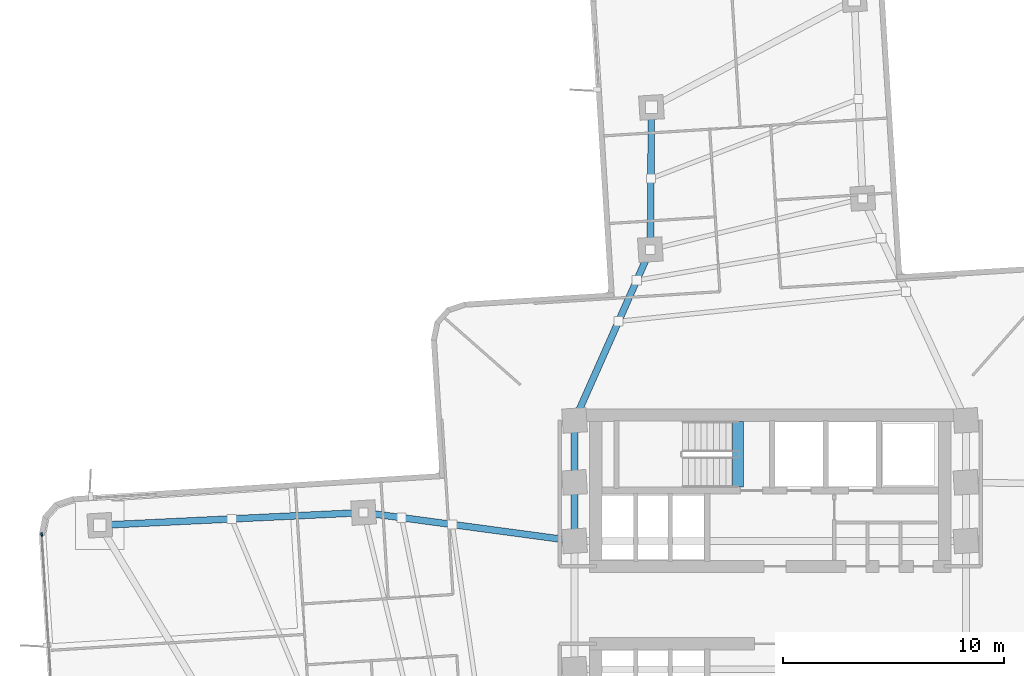
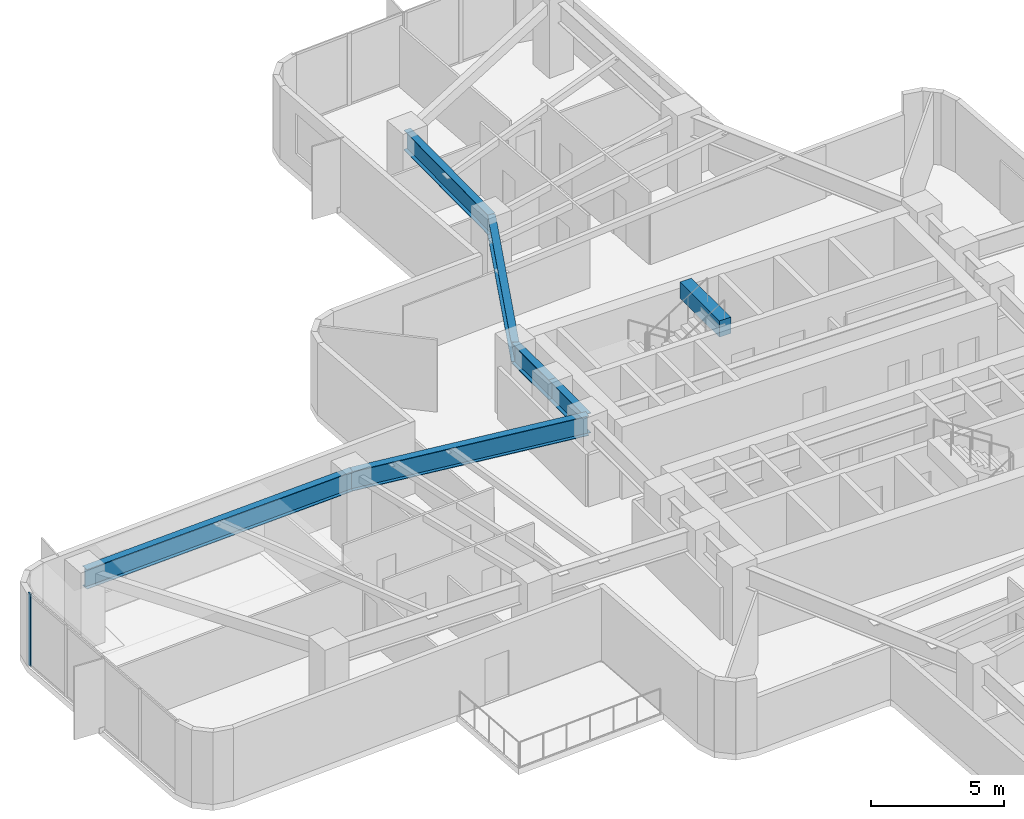
# One storey, part 4 of 16: 7 beams, 1 member, 1 element without a shape of its own.
"""IFC4 building model written with IfcOpenShell, lengths in metres."""

from ifc_helpers import new_model, si_unit, direction, frame, origin, origin_2d, place, context, subcontext, project, spatial, rectangle, i_section, extrude, material, layer, layer_set, material_profile, profile_set, type_object, element, aggregate, save


model = new_model("IFC4")

# Units and contexts
model_context = context("Model", 3, precision=1e-05, world=origin(), true_north=direction((0.0, 1.0)))
body_context = subcontext(model_context, "Body", "Model", "MODEL_VIEW")
ifc_project = project(units=[si_unit("LENGTHUNIT", "METRE"), si_unit("AREAUNIT", "SQUARE_METRE"), si_unit("VOLUMEUNIT", "CUBIC_METRE"), si_unit("PLANEANGLEUNIT", "RADIAN"), si_unit("MASSUNIT", "GRAM", prefix="KILO")], contexts=[model_context])

# Site, building, storey
site_placement = place(None, origin())
site = spatial("IfcSite", under=ifc_project, at=site_placement, CompositionType="ELEMENT")
building_placement = place(site_placement, origin())
building = spatial("IfcBuilding", under=site, at=building_placement, Name="Solmarez Civic Tower", CompositionType="ELEMENT")
storey_placement = place(building_placement, frame((0.0, 0.0, 53.280029296875)))
storey = spatial("IfcBuildingStorey", under=building, at=storey_placement, Name="L13", CompositionType="ELEMENT", Elevation=53.280029296875)

# Beams
ifc_material_1 = material(Name="Concrete C50/60", Category="concrete")
ifc_material_profile_1 = material_profile(ifc_material_1, rectangle(XDim=0.5, YDim=0.75, at=origin_2d()), Name="RC500X750")
ifc_profile_set_1 = profile_set([ifc_material_profile_1], Name="Concrete C50/60")
beam_type_1 = type_object("IfcBeamType", Name="BM-PR-RC500X750", PredefinedType="BEAM", material=ifc_profile_set_1)
beam_1_placement = place(storey_placement, frame((-1.449951171875, 5.340087890625, 3.23291015625), z_axis=(0.0, 1.0, 0.0), x_axis=(-1.0, 0.0, 0.0)))
element("IfcBeam", 1, at=beam_1_placement, inside=storey, type_object=beam_type_1, Name="L13 North Stair Threshold Beam", PredefinedType="BEAM", context=body_context, shape_type="SweptSolid", body=[
    extrude(rectangle(XDim=0.5, YDim=0.75, at=origin_2d()), origin(), (0.0, 0.0, 1.0), 2.9599609375),
])
ifc_material_2 = material(Name="Steel S355", Category="steel")
ifc_material_profile_2 = material_profile(ifc_material_2, i_section(OverallWidth=0.303955078125, OverallDepth=0.910888671875, WebThickness=0.015869140625, FlangeThickness=0.02392578125, at=origin_2d()), Name="W36X150")
ifc_profile_set_2 = profile_set([ifc_material_profile_2], Name="Steel S355")
beam_type_2 = type_object("IfcBeamType", Name="BM-PR-W36X150", PredefinedType="BEAM", material=ifc_profile_set_2)
beam_2_placement = place(storey_placement, frame((-8.85009765625, 8.35009765625, 2.864990234375), z_axis=(0.405693556952, 0.914009156326, 0.0), x_axis=(-0.914009156326, 0.405693556952, 0.0)))
element("IfcBeam", 2, at=beam_2_placement, inside=storey, type_object=beam_type_2, Name="L13 Primary Floor Beam BM-L13-NA-R1B", PredefinedType="BEAM", context=body_context, shape_type="SweptSolid", body=[
    extrude(i_section(OverallWidth=0.303955078125, OverallDepth=0.910888671875, WebThickness=0.015869140625, FlangeThickness=0.02392578125, at=origin_2d()), origin(), (0.0, 0.0, 1.0), 8.45263671875),
])
beam_3_placement = place(storey_placement, frame((-5.4208984375, 16.075927734375, 2.864990234375), z_axis=(0.007592219108, 0.999971178689, 0.0), x_axis=(-0.999971178689, 0.007592219108, 0.0)))
element("IfcBeam", 3, at=beam_3_placement, inside=storey, type_object=beam_type_2, Name="L13 Primary Floor Beam BM-L13-NA-R2B", PredefinedType="BEAM", context=body_context, shape_type="SweptSolid", body=[
    extrude(i_section(OverallWidth=0.303955078125, OverallDepth=0.910888671875, WebThickness=0.015869140625, FlangeThickness=0.02392578125, at=origin_2d()), origin(), (0.0, 0.0, 1.0), 6.431396484375),
])
beam_4_placement = place(storey_placement, frame((-8.85009765625, 2.89990234375, 2.864990234375), z_axis=(-0.991063240718, 0.133392851745, 0.0), x_axis=(-0.133392851745, -0.991063240718, 0.0)))
element("IfcBeam", 4, at=beam_4_placement, inside=storey, type_object=beam_type_2, Name="L13 Primary Floor Beam BM-L13-WA-R1A", PredefinedType="BEAM", context=body_context, shape_type="SweptSolid", body=[
    extrude(i_section(OverallWidth=0.303955078125, OverallDepth=0.910888671875, WebThickness=0.015869140625, FlangeThickness=0.02392578125, at=origin_2d()), origin(), (0.0, 0.0, 1.0), 9.626953125),
])
beam_5_placement = place(storey_placement, frame((-18.39111328125, 4.18408203125, 2.864990234375), z_axis=(-0.998839135977, -0.048170327398, 0.0), x_axis=(0.048170327398, -0.998839135977, 0.0)))
element("IfcBeam", 5, at=beam_5_placement, inside=storey, type_object=beam_type_2, Name="L13 Primary Floor Beam BM-L13-WA-R2A", PredefinedType="BEAM", context=body_context, shape_type="SweptSolid", body=[
    extrude(i_section(OverallWidth=0.303955078125, OverallDepth=0.910888671875, WebThickness=0.015869140625, FlangeThickness=0.02392578125, at=origin_2d()), origin(), (0.0, 0.0, 1.0), 11.94091796875),
])
ifc_material_profile_3 = material_profile(ifc_material_2, i_section(OverallWidth=0.306884765625, OverallDepth=0.927001953125, WebThickness=0.019287109375, FlangeThickness=0.031982421875, at=origin_2d()), Name="W36X194")
ifc_profile_set_3 = profile_set([ifc_material_profile_3], Name="Steel S355")
beam_type_3 = type_object("IfcBeamType", Name="BM-PR-W36X194", PredefinedType="BEAM", material=ifc_profile_set_3)
beam_6_placement = place(storey_placement, frame((-8.85009765625, 2.89990234375, 2.85595703125), z_axis=(0.0, 1.0, 0.0), x_axis=(-1.0, 0.0, 0.0)))
element("IfcBeam", 6, at=beam_6_placement, inside=storey, type_object=beam_type_3, Name="L13 Primary Floor Beam BM-L13-HC3-HC4", PredefinedType="BEAM", context=body_context, shape_type="SweptSolid", body=[
    extrude(i_section(OverallWidth=0.306884765625, OverallDepth=0.927001953125, WebThickness=0.019287109375, FlangeThickness=0.031982421875, at=origin_2d()), origin(), (0.0, 0.0, 1.0), 2.650146484375),
])
beam_7_placement = place(storey_placement, frame((-8.85009765625, 5.550048828125, 2.85595703125), z_axis=(0.0, 1.0, 0.0), x_axis=(-1.0, 0.0, 0.0)))
element("IfcBeam", 7, at=beam_7_placement, inside=storey, type_object=beam_type_3, Name="L13 Primary Floor Beam BM-L13-HC4-HC9", PredefinedType="BEAM", context=body_context, shape_type="SweptSolid", body=[
    extrude(i_section(OverallWidth=0.306884765625, OverallDepth=0.927001953125, WebThickness=0.019287109375, FlangeThickness=0.031982421875, at=origin_2d()), origin(), (0.0, 0.0, 1.0), 2.800048828125),
])

# Curtain wall, member
ifc_material_3 = material(Name="Bronze Anodised Aluminium EN AW-6063 T6", Category="aluminium")
ifc_layer = layer(ifc_material_3, 0.155029296875)
ifc_layer_set = layer_set([ifc_layer], Name="Bronze Anodised Aluminium EN AW-6063 T6")
curtain_wall_type = type_object("IfcCurtainWallType", Name="CW-SYS-6", PredefinedType="NOTDEFINED", material=ifc_layer_set)
curtain_wall_placement = place(storey_placement, origin())
curtain_wall = element("IfcCurtainWall", 8, at=curtain_wall_placement, inside=storey, type_object=curtain_wall_type, Name="L13 Stick-Built Curtain Wall 1", PredefinedType="NOTDEFINED")
ifc_material_profile_4 = material_profile(ifc_material_3, rectangle(XDim=0.070068359375, YDim=0.179931640625, at=origin_2d()), Name="CWM-70X180")
ifc_profile_set_4 = profile_set([ifc_material_profile_4], Name="Bronze Anodised Aluminium EN AW-6063 T6")
member_type = type_object("IfcMemberType", Name="CWM-TYPE-2", PredefinedType="MULLION", material=ifc_profile_set_4)
member_placement = place(storey_placement, frame((-32.94580078125, 3.192138671875, 0.0), z_axis=(0.0, 0.0, 1.0), x_axis=(-0.998021244974, -0.062877615886, 0.0)))
member = element("IfcMember", 9, at=member_placement, type_object=member_type, Name="CWS6 mullion 5", PredefinedType="MULLION", context=body_context, shape_type="SweptSolid", body=[
    extrude(rectangle(XDim=0.070068359375, YDim=0.179931640625, at=origin_2d()), origin(), (0.0, 0.0, 1.0), 3.320068359375),
])
aggregate(curtain_wall, [member])

save(model, "model.ifc")
